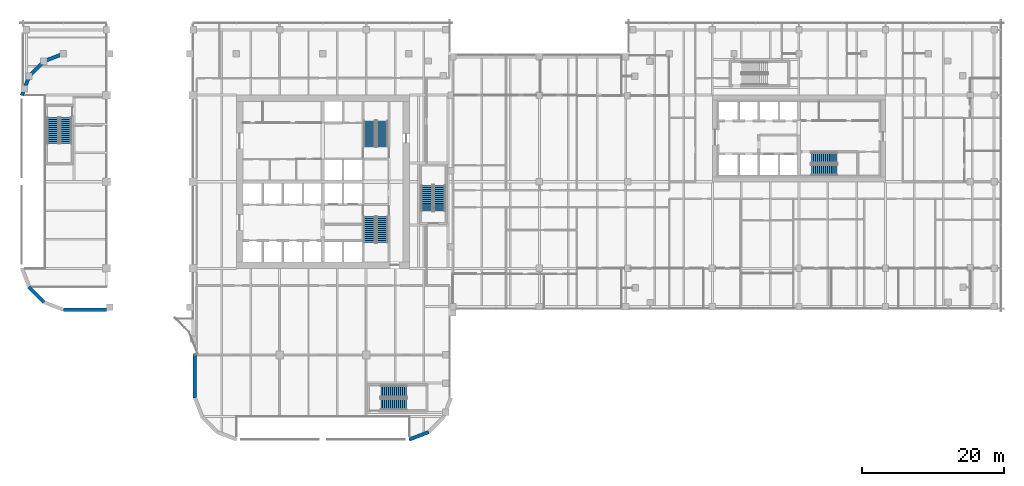
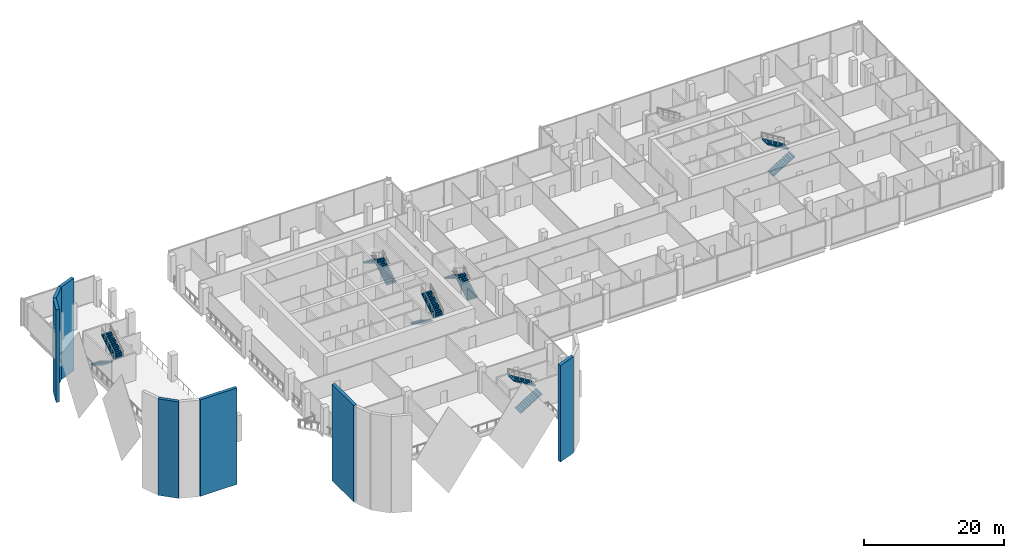
# One storey, part 30 of 33: 12 stair flights, 7 walls, 6 elements without a shape of their own.
"""IFC4 building model written with IfcOpenShell, lengths in metres."""

from ifc_helpers import new_model, si_unit, direction, frame, origin, place, context, subcontext, project, spatial, polyline, outline, extrude, faceted_brep, source, transform, mapped, material, layer, layer_set, type_object, element, aggregate, save


model = new_model("IFC4")

# Units and contexts
model_context = context("Model", 3, precision=1e-05, world=origin(), true_north=direction((0.0, 1.0)))
body_context = subcontext(model_context, "Body", "Model", "MODEL_VIEW")
ifc_project = project(units=[si_unit("LENGTHUNIT", "METRE"), si_unit("AREAUNIT", "SQUARE_METRE"), si_unit("VOLUMEUNIT", "CUBIC_METRE"), si_unit("PLANEANGLEUNIT", "RADIAN"), si_unit("MASSUNIT", "GRAM", prefix="KILO")], contexts=[model_context])

# Site, building, storey
site_placement = place(None, origin())
site = spatial("IfcSite", under=ifc_project, at=site_placement, CompositionType="ELEMENT")
building_placement = place(site_placement, origin())
building = spatial("IfcBuilding", under=site, at=building_placement, Name="Tessera Gate Towers", CompositionType="ELEMENT")
storey_placement = place(building_placement, frame((0.0, 0.0, 7.199951171875)))
storey = spatial("IfcBuildingStorey", under=building, at=storey_placement, Name="L01", CompositionType="ELEMENT", Elevation=7.199951171875)

# Walls
ifc_material_1 = material(Name="Precast concrete C60/75 white", Category="concrete")
ifc_layer = layer(ifc_material_1, 0.5)
ifc_layer_set = layer_set([ifc_layer], Name="TB3 foot corner pier")
wall_type = type_object("IfcWallType", Name="TB3 foot corner pier", PredefinedType="SOLIDWALL", material=ifc_layer_set)
shared_shape_1 = source(origin(), body_context, "Body", "Brep", [
    faceted_brep([(0.0, -0.25, 0.0), (6.053466796875, -0.25, 0.0), (6.053466796875, -0.25, 16.800048828125), (0.0, -0.25, 16.800048828125), (0.046630859375, 0.25, 16.800048828125), (6.053466796875, 0.25, 16.800048828125), (6.053466796875, 0.25, 0.0), (0.046630859375, 0.25, 0.0), (0.0, 0.0, 0.0), (0.0, 0.0, 16.800048828125)], [[[0, 1, 2, 3]], [[4, 5, 6, 7]], [[7, 6, 1, 0, 8]], [[5, 4, 9, 3, 2]], [[8, 0, 3, 9]], [[7, 8, 9, 4]], [[1, 6, 5, 2]]]),
])
wall_1_placement = place(storey_placement, frame((6.146484375, 18.550048828125, -7.199951171875), z_axis=(0.0, 0.0, 1.0), x_axis=(1.0, 0.0, 0.0)))
element("IfcWall", 1, at=wall_1_placement, inside=storey, type_object=wall_type, Name="Foot corner pier T1 TB3-0001", PredefinedType="SOLIDWALL", context=body_context, shape_type="MappedRepresentation", body=[
    mapped(shared_shape_1, transform((0.0, 0.0, 0.0), scale=1.0)),
])
shared_shape_2 = source(origin(), body_context, "Body", "Brep", [
    faceted_brep([(0.0, -0.25, 0.0), (6.154541015625, -0.25, 0.0), (6.154541015625, -0.25, 16.800048828125), (0.0, -0.25, 16.800048828125), (0.0, 0.25, 16.800048828125), (6.10791015625, 0.25, 16.800048828125), (6.10791015625, 0.25, 0.0), (0.0, 0.25, 0.0), (6.154541015625, -0.00048828125, 0.0), (6.154541015625, -0.00048828125, 16.800048828125)], [[[0, 1, 2, 3]], [[4, 5, 6, 7]], [[7, 6, 8, 1, 0]], [[9, 2, 1, 8]], [[5, 4, 3, 2, 9]], [[4, 7, 0, 3]], [[8, 6, 5, 9]]]),
])
wall_2_placement = place(storey_placement, frame((24.64990234375, 12.301025390625, -7.199951171875), z_axis=(0.0, 0.0, 1.0), x_axis=(0.0, -1.0, 0.0)))
element("IfcWall", 2, at=wall_2_placement, inside=storey, type_object=wall_type, Name="Foot corner pier T1 TB3-0002", PredefinedType="SOLIDWALL", context=body_context, shape_type="MappedRepresentation", body=[
    mapped(shared_shape_2, transform((0.0, 0.0, 0.0), scale=1.0)),
])
shared_shape_3 = source(origin(), body_context, "Body", "Brep", [
    faceted_brep([(0.0, -0.25, 0.0), (2.958251953125, -0.25, 0.0), (2.958251953125, -0.25, 16.800048828125), (0.0, -0.25, 16.800048828125), (0.046630859375, 0.25, 16.800048828125), (2.958251953125, 0.25, 16.800048828125), (2.958251953125, 0.25, 0.0), (0.046630859375, 0.25, 0.0), (0.0, 0.0, 0.0), (0.0, 0.0, 16.800048828125)], [[[0, 1, 2, 3]], [[4, 5, 6, 7]], [[7, 6, 1, 0, 8]], [[5, 4, 9, 3, 2]], [[8, 0, 3, 9]], [[7, 8, 9, 4]], [[1, 6, 5, 2]]]),
])
wall_3_placement = place(storey_placement, frame((54.853515625, 0.25, -7.199951171875), z_axis=(0.0, 0.0, 1.0), x_axis=(0.932987802691, 0.359907988283, 0.0)))
element("IfcWall", 3, at=wall_3_placement, inside=storey, type_object=wall_type, Name="Foot corner pier T1 TB3-0003", PredefinedType="SOLIDWALL", context=body_context, shape_type="MappedRepresentation", body=[
    mapped(shared_shape_3, transform((0.0, 0.0, 0.0), scale=1.0)),
])
shared_shape_4 = source(origin(), body_context, "Body", "Brep", [
    faceted_brep([(0.0, -0.25, 0.0), (2.950439453125, -0.25, 0.0), (2.950439453125, -0.25, 16.1220703125), (0.0, -0.25, 16.1220703125), (0.046630859375, 0.25, 16.1220703125), (2.897705078125, 0.25, 16.1220703125), (2.897705078125, 0.25, 0.0), (0.046630859375, 0.25, 0.0), (2.950439453125, 0.00048828125, 0.0), (0.0, 0.0, 0.0), (2.950439453125, 0.00048828125, 16.1220703125), (0.0, 0.0, 16.1220703125)], [[[0, 1, 2, 3]], [[4, 5, 6, 7]], [[7, 6, 8, 1, 0, 9]], [[10, 2, 1, 8]], [[5, 4, 11, 3, 2, 10]], [[9, 0, 3, 11]], [[7, 9, 11, 4]], [[8, 6, 5, 10]]]),
])
wall_4_placement = place(storey_placement, frame((6.146484375, 54.64990234375, -7.199951171875), z_axis=(0.0, 0.0, 1.0), x_axis=(-0.932999673775, -0.359877213415, 0.0)))
element("IfcWall", 4, at=wall_4_placement, inside=storey, type_object=wall_type, Name="Foot corner pier T1 TB3-0006", PredefinedType="SOLIDWALL", context=body_context, shape_type="MappedRepresentation", body=[
    mapped(shared_shape_4, transform((0.0, 0.0, 0.0), scale=1.0)),
])
shared_shape_5 = source(origin(), body_context, "Body", "Brep", [
    faceted_brep([(0.0, -0.25, 0.0), (2.944091796875, -0.25, 0.0), (2.944091796875, -0.25, 16.1220703125), (0.0, -0.25, 16.1220703125), (0.052978515625, 0.25, 16.1220703125), (2.89111328125, 0.25, 16.1220703125), (2.89111328125, 0.25, 0.0), (0.052978515625, 0.25, 0.0), (2.944091796875, 0.000244140625, 0.0), (0.0, 0.0, 0.0), (2.944091796875, 0.000244140625, 16.1220703125), (0.0, 0.0, 16.1220703125)], [[[0, 1, 2, 3]], [[4, 5, 6, 7]], [[7, 6, 8, 1, 0, 9]], [[10, 2, 1, 8]], [[5, 4, 11, 3, 2, 10]], [[9, 0, 3, 11]], [[7, 9, 11, 4]], [[8, 6, 5, 10]]]),
])
wall_5_placement = place(storey_placement, frame((3.393798828125, 53.588134765625, -7.199951171875), z_axis=(0.0, 0.0, 1.0), x_axis=(-0.707106781187, -0.707106781187, 0.0)))
element("IfcWall", 5, at=wall_5_placement, inside=storey, type_object=wall_type, Name="Foot corner pier T1 TB3-0007", PredefinedType="SOLIDWALL", context=body_context, shape_type="MappedRepresentation", body=[
    mapped(shared_shape_5, transform((0.0, 0.0, 0.0), scale=1.0)),
])
shared_shape_6 = source(origin(), body_context, "Body", "Brep", [
    faceted_brep([(0.0, -0.25, 0.0), (2.950439453125, -0.25, 0.0), (2.950439453125, -0.25, 16.1220703125), (0.0, -0.25, 16.1220703125), (0.052978515625, 0.25, 16.1220703125), (2.904052734375, 0.25, 16.1220703125), (2.904052734375, 0.25, 0.0), (0.052978515625, 0.25, 0.0), (2.950439453125, 0.00048828125, 0.0), (0.0, 0.0, 0.0), (2.950439453125, 0.00048828125, 16.1220703125), (0.0, 0.0, 16.1220703125)], [[[0, 1, 2, 3]], [[4, 5, 6, 7]], [[7, 6, 8, 1, 0, 9]], [[10, 2, 1, 8]], [[5, 4, 11, 3, 2, 10]], [[9, 0, 3, 11]], [[7, 9, 11, 4]], [[8, 6, 5, 10]]]),
])
wall_6_placement = place(storey_placement, frame((1.31201171875, 51.50634765625, -7.199951171875), z_axis=(0.0, 0.0, 1.0), x_axis=(-0.359921456299, -0.932982607178, 0.0)))
element("IfcWall", 6, at=wall_6_placement, inside=storey, type_object=wall_type, Name="Foot corner pier T1 TB3-0008", PredefinedType="SOLIDWALL", context=body_context, shape_type="MappedRepresentation", body=[
    mapped(shared_shape_6, transform((0.0, 0.0, 0.0), scale=1.0)),
])
shared_shape_7 = source(origin(), body_context, "Body", "Brep", [
    faceted_brep([(0.0, -0.25, 0.0), (3.0546875, -0.25, 0.0), (3.0546875, -0.25, 16.800048828125), (0.0, -0.25, 16.800048828125), (0.0, 0.25, 16.800048828125), (3.001953125, 0.25, 16.800048828125), (3.001953125, 0.25, 0.0), (0.0, 0.25, 0.0), (3.0546875, 0.00048828125, 0.0), (3.0546875, 0.00048828125, 16.800048828125)], [[[0, 1, 2, 3]], [[4, 5, 6, 7]], [[7, 6, 8, 1, 0]], [[9, 2, 1, 8]], [[5, 4, 3, 2, 9]], [[4, 7, 0, 3]], [[8, 6, 5, 9]]]),
])
wall_7_placement = place(storey_placement, frame((1.233642578125, 21.77197265625, -7.199951171875), z_axis=(0.0, 0.0, 1.0), x_axis=(0.707146740881, -0.707066819233, 0.0)))
element("IfcWall", 7, at=wall_7_placement, inside=storey, type_object=wall_type, Name="Foot corner pier T1 TB3-0010", PredefinedType="SOLIDWALL", context=body_context, shape_type="MappedRepresentation", body=[
    mapped(shared_shape_7, transform((0.0, 0.0, 0.0), scale=1.0)),
])

# Stair, stair flights
ifc_material_2 = material(Name="Concrete C40/50", Category="concrete")
stair_type_1 = type_object("IfcStairType", Name="EXIT STAIR ST1A 1600", PredefinedType="HALF_TURN_STAIR", material=ifc_material_2)
stair_1_placement = place(storey_placement, origin())
stair_1 = element("IfcStair", 8, at=stair_1_placement, inside=storey, type_object=stair_type_1, Name="L01 Protected Exit Stair ST1", PredefinedType="HALF_TURN_STAIR")
ifc_material_3 = material(Name="Concrete C40/50", Category="concrete")
stair_flight_type_1 = type_object("IfcStairFlightType", Name="EXIT STAIR FLIGHT ST1A 1600", PredefinedType="STRAIGHT", material=ifc_material_3)
stair_flight_1_placement = place(storey_placement, frame((49.27490234375, 31.675048828125, 0.0), z_axis=(0.0, 0.0, 1.0), x_axis=(0.0, -1.0, 0.0)))
stair_flight_1 = element("IfcStairFlight", 9, at=stair_flight_1_placement, type_object=stair_flight_type_1, Name="ST1 flight 1", NumberOfRisers=14, NumberOfTreads=13, PredefinedType="STRAIGHT", RiserHeight=0.171428571, TreadLength=0.28, context=body_context, shape_type="SweptSolid", body=[
    extrude(outline(polyline([(0.0, 0.0), (0.0, 0.17138671875), (0.280029296875, 0.17138671875), (0.280029296875, 0.3427734375), (0.56005859375, 0.3427734375), (0.56005859375, 0.514404296875), (0.840087890625, 0.514404296875), (0.840087890625, 0.685791015625), (1.1201171875, 0.685791015625), (1.1201171875, 0.857177734375), (1.39990234375, 0.857177734375), (1.39990234375, 1.028564453125), (1.679931640625, 1.028564453125), (1.679931640625, 1.199951171875), (1.9599609375, 1.199951171875), (1.9599609375, 1.371337890625), (2.239990234375, 1.371337890625), (2.239990234375, 1.54296875), (2.52001953125, 1.54296875), (2.52001953125, 1.71435546875), (2.800048828125, 1.71435546875), (2.800048828125, 1.8857421875), (3.080078125, 1.8857421875), (3.080078125, 2.05712890625), (3.360107421875, 2.05712890625), (3.360107421875, 2.228515625), (3.639892578125, 2.228515625), (3.639892578125, 2.39990234375), (3.639892578125, 2.052734375), (0.287109375, 0.0), (0.0, 0.0)])), frame((0.0, 0.800048828125, 0.0), z_axis=(0.0, -1.0, 0.0), x_axis=(1.0, 0.0, 0.0)), (0.0, 0.0, 1.0), 1.60009765625),
])
stair_flight_2_placement = place(storey_placement, frame((51.074951171875, 28.034912109375, 2.400146484375), z_axis=(0.0, 0.0, 1.0), x_axis=(0.0, 1.0, 0.0)))
stair_flight_2 = element("IfcStairFlight", 10, at=stair_flight_2_placement, type_object=stair_flight_type_1, Name="ST1 flight 2", NumberOfRisers=14, NumberOfTreads=13, PredefinedType="STRAIGHT", RiserHeight=0.171428571, TreadLength=0.28, context=body_context, shape_type="SweptSolid", body=[
    extrude(outline(polyline([(0.0, 0.0), (0.0, 0.17138671875), (0.280029296875, 0.17138671875), (0.280029296875, 0.3427734375), (0.56005859375, 0.3427734375), (0.56005859375, 0.514404296875), (0.840087890625, 0.514404296875), (0.840087890625, 0.685791015625), (1.1201171875, 0.685791015625), (1.1201171875, 0.857177734375), (1.39990234375, 0.857177734375), (1.39990234375, 1.028564453125), (1.679931640625, 1.028564453125), (1.679931640625, 1.199951171875), (1.9599609375, 1.199951171875), (1.9599609375, 1.371337890625), (2.239990234375, 1.371337890625), (2.239990234375, 1.54296875), (2.52001953125, 1.54296875), (2.52001953125, 1.71435546875), (2.800048828125, 1.71435546875), (2.800048828125, 1.8857421875), (3.080078125, 1.8857421875), (3.080078125, 2.05712890625), (3.360107421875, 2.05712890625), (3.360107421875, 2.228515625), (3.639892578125, 2.228515625), (3.639892578125, 2.39990234375), (3.639892578125, 2.052734375), (0.287109375, 0.0), (0.0, 0.0)])), frame((0.0, 0.800048828125, 0.0), z_axis=(0.0, -1.0, 0.0), x_axis=(1.0, 0.0, 0.0)), (0.0, 0.0, 1.0), 1.60009765625),
])
aggregate(stair_1, [stair_flight_1, stair_flight_2])

ifc_material_4 = material(Name="Concrete C40/50", Category="concrete")
stair_type_2 = type_object("IfcStairType", Name="EXIT STAIR ST2A 1600", PredefinedType="HALF_TURN_STAIR", material=ifc_material_4)
stair_2_placement = place(storey_placement, origin())
stair_2 = element("IfcStair", 11, at=stair_2_placement, inside=storey, type_object=stair_type_2, Name="L01 Protected Exit Stair ST2", PredefinedType="HALF_TURN_STAIR")
ifc_material_5 = material(Name="Concrete C40/50", Category="concrete")
stair_flight_type_2 = type_object("IfcStairFlightType", Name="EXIT STAIR FLIGHT ST2A 1600", PredefinedType="STRAIGHT", material=ifc_material_5)
stair_flight_3_placement = place(storey_placement, frame((51.074951171875, 41.52490234375, 0.0), z_axis=(0.0, 0.0, 1.0), x_axis=(0.0, 1.0, 0.0)))
stair_flight_3 = element("IfcStairFlight", 12, at=stair_flight_3_placement, type_object=stair_flight_type_2, Name="ST2 flight 1", NumberOfRisers=14, NumberOfTreads=13, PredefinedType="STRAIGHT", RiserHeight=0.171428571, TreadLength=0.28, context=body_context, shape_type="SweptSolid", body=[
    extrude(outline(polyline([(0.0, 0.0), (0.0, 0.17138671875), (0.280029296875, 0.17138671875), (0.280029296875, 0.3427734375), (0.56005859375, 0.3427734375), (0.56005859375, 0.514404296875), (0.840087890625, 0.514404296875), (0.840087890625, 0.685791015625), (1.1201171875, 0.685791015625), (1.1201171875, 0.857177734375), (1.39990234375, 0.857177734375), (1.39990234375, 1.028564453125), (1.679931640625, 1.028564453125), (1.679931640625, 1.199951171875), (1.9599609375, 1.199951171875), (1.9599609375, 1.371337890625), (2.239990234375, 1.371337890625), (2.239990234375, 1.54296875), (2.52001953125, 1.54296875), (2.52001953125, 1.71435546875), (2.800048828125, 1.71435546875), (2.800048828125, 1.8857421875), (3.080078125, 1.8857421875), (3.080078125, 2.05712890625), (3.360107421875, 2.05712890625), (3.360107421875, 2.228515625), (3.639892578125, 2.228515625), (3.639892578125, 2.39990234375), (3.639892578125, 2.052734375), (0.287109375, 0.0), (0.0, 0.0)])), frame((0.0, 0.800048828125, 0.0), z_axis=(0.0, -1.0, 0.0), x_axis=(1.0, 0.0, 0.0)), (0.0, 0.0, 1.0), 1.60009765625),
])
stair_flight_4_placement = place(storey_placement, frame((49.27490234375, 45.1650390625, 2.400146484375), z_axis=(0.0, 0.0, 1.0), x_axis=(0.0, -1.0, 0.0)))
stair_flight_4 = element("IfcStairFlight", 13, at=stair_flight_4_placement, type_object=stair_flight_type_2, Name="ST2 flight 2", NumberOfRisers=14, NumberOfTreads=13, PredefinedType="STRAIGHT", RiserHeight=0.171428571, TreadLength=0.28, context=body_context, shape_type="SweptSolid", body=[
    extrude(outline(polyline([(0.0, 0.0), (0.0, 0.17138671875), (0.280029296875, 0.17138671875), (0.280029296875, 0.3427734375), (0.56005859375, 0.3427734375), (0.56005859375, 0.514404296875), (0.840087890625, 0.514404296875), (0.840087890625, 0.685791015625), (1.1201171875, 0.685791015625), (1.1201171875, 0.857177734375), (1.39990234375, 0.857177734375), (1.39990234375, 1.028564453125), (1.679931640625, 1.028564453125), (1.679931640625, 1.199951171875), (1.9599609375, 1.199951171875), (1.9599609375, 1.371337890625), (2.239990234375, 1.371337890625), (2.239990234375, 1.54296875), (2.52001953125, 1.54296875), (2.52001953125, 1.71435546875), (2.800048828125, 1.71435546875), (2.800048828125, 1.8857421875), (3.080078125, 1.8857421875), (3.080078125, 2.05712890625), (3.360107421875, 2.05712890625), (3.360107421875, 2.228515625), (3.639892578125, 2.228515625), (3.639892578125, 2.39990234375), (3.639892578125, 2.052734375), (0.287109375, 0.0), (0.0, 0.0)])), frame((0.0, 0.800048828125, 0.0), z_axis=(0.0, -1.0, 0.0), x_axis=(1.0, 0.0, 0.0)), (0.0, 0.0, 1.0), 1.60009765625),
])
aggregate(stair_2, [stair_flight_3, stair_flight_4])

ifc_material_6 = material(Name="Concrete C40/50", Category="concrete")
stair_type_3 = type_object("IfcStairType", Name="EXIT STAIR ST3A 1600", PredefinedType="HALF_TURN_STAIR", material=ifc_material_6)
stair_3_placement = place(storey_placement, origin())
stair_3 = element("IfcStair", 14, at=stair_3_placement, inside=storey, type_object=stair_type_3, Name="L01 West Exit Stair ST3", PredefinedType="HALF_TURN_STAIR")
ifc_material_7 = material(Name="Concrete C40/50", Category="concrete")
stair_flight_type_3 = type_object("IfcStairFlightType", Name="EXIT STAIR FLIGHT ST3A 1600", PredefinedType="STRAIGHT", material=ifc_material_7)
stair_flight_5_placement = place(storey_placement, frame((4.64990234375, 45.64990234375, 0.0), z_axis=(0.0, 0.0, 1.0), x_axis=(0.0, -1.0, 0.0)))
stair_flight_5 = element("IfcStairFlight", 15, at=stair_flight_5_placement, type_object=stair_flight_type_3, Name="ST3 flight 1", NumberOfRisers=14, NumberOfTreads=13, PredefinedType="STRAIGHT", RiserHeight=0.171428571, TreadLength=0.28, context=body_context, shape_type="SweptSolid", body=[
    extrude(outline(polyline([(0.0, 0.0), (0.0, 0.17138671875), (0.280029296875, 0.17138671875), (0.280029296875, 0.3427734375), (0.56005859375, 0.3427734375), (0.56005859375, 0.514404296875), (0.840087890625, 0.514404296875), (0.840087890625, 0.685791015625), (1.1201171875, 0.685791015625), (1.1201171875, 0.857177734375), (1.39990234375, 0.857177734375), (1.39990234375, 1.028564453125), (1.679931640625, 1.028564453125), (1.679931640625, 1.199951171875), (1.9599609375, 1.199951171875), (1.9599609375, 1.371337890625), (2.239990234375, 1.371337890625), (2.239990234375, 1.54296875), (2.52001953125, 1.54296875), (2.52001953125, 1.71435546875), (2.800048828125, 1.71435546875), (2.800048828125, 1.8857421875), (3.080078125, 1.8857421875), (3.080078125, 2.05712890625), (3.360107421875, 2.05712890625), (3.360107421875, 2.228515625), (3.639892578125, 2.228515625), (3.639892578125, 2.39990234375), (3.639892578125, 2.052734375), (0.287109375, 0.0), (0.0, 0.0)])), frame((0.0, 0.800048828125, 0.0), z_axis=(0.0, -1.0, 0.0), x_axis=(1.0, 0.0, 0.0)), (0.0, 0.0, 1.0), 1.60009765625),
])
stair_flight_6_placement = place(storey_placement, frame((6.449951171875, 42.010009765625, 2.400146484375), z_axis=(0.0, 0.0, 1.0), x_axis=(0.0, 1.0, 0.0)))
stair_flight_6 = element("IfcStairFlight", 16, at=stair_flight_6_placement, type_object=stair_flight_type_3, Name="ST3 flight 2", NumberOfRisers=14, NumberOfTreads=13, PredefinedType="STRAIGHT", RiserHeight=0.171428571, TreadLength=0.28, context=body_context, shape_type="SweptSolid", body=[
    extrude(outline(polyline([(0.0, 0.0), (0.0, 0.17138671875), (0.280029296875, 0.17138671875), (0.280029296875, 0.3427734375), (0.56005859375, 0.3427734375), (0.56005859375, 0.514404296875), (0.840087890625, 0.514404296875), (0.840087890625, 0.685791015625), (1.1201171875, 0.685791015625), (1.1201171875, 0.857177734375), (1.39990234375, 0.857177734375), (1.39990234375, 1.028564453125), (1.679931640625, 1.028564453125), (1.679931640625, 1.199951171875), (1.9599609375, 1.199951171875), (1.9599609375, 1.371337890625), (2.239990234375, 1.371337890625), (2.239990234375, 1.54296875), (2.52001953125, 1.54296875), (2.52001953125, 1.71435546875), (2.800048828125, 1.71435546875), (2.800048828125, 1.8857421875), (3.080078125, 1.8857421875), (3.080078125, 2.05712890625), (3.360107421875, 2.05712890625), (3.360107421875, 2.228515625), (3.639892578125, 2.228515625), (3.639892578125, 2.39990234375), (3.639892578125, 2.052734375), (0.287109375, 0.0), (0.0, 0.0)])), frame((0.0, 0.800048828125, 0.0), z_axis=(0.0, -1.0, 0.0), x_axis=(1.0, 0.0, 0.0)), (0.0, 0.0, 1.0), 1.60009765625),
])
aggregate(stair_3, [stair_flight_5, stair_flight_6])

ifc_material_8 = material(Name="Concrete C40/50", Category="concrete")
stair_type_4 = type_object("IfcStairType", Name="EXIT STAIR ST4A 1600", PredefinedType="HALF_TURN_STAIR", material=ifc_material_8)
stair_4_placement = place(storey_placement, origin())
stair_4 = element("IfcStair", 17, at=stair_4_placement, inside=storey, type_object=stair_type_4, Name="L01 South Exit Stair ST4", PredefinedType="HALF_TURN_STAIR")
ifc_material_9 = material(Name="Concrete C40/50", Category="concrete")
stair_flight_type_4 = type_object("IfcStairFlightType", Name="EXIT STAIR FLIGHT ST4A 1600", PredefinedType="STRAIGHT", material=ifc_material_9)
stair_flight_7_placement = place(storey_placement, frame((50.85009765625, 5.25, 0.0), z_axis=(0.0, 0.0, 1.0), x_axis=(1.0, 0.0, 0.0)))
stair_flight_7 = element("IfcStairFlight", 18, at=stair_flight_7_placement, type_object=stair_flight_type_4, Name="ST4 flight 1", NumberOfRisers=14, NumberOfTreads=13, PredefinedType="STRAIGHT", RiserHeight=0.171428571, TreadLength=0.28, context=body_context, shape_type="SweptSolid", body=[
    extrude(outline(polyline([(0.0, 0.0), (0.0, 0.17138671875), (0.280029296875, 0.17138671875), (0.280029296875, 0.3427734375), (0.56005859375, 0.3427734375), (0.56005859375, 0.514404296875), (0.840087890625, 0.514404296875), (0.840087890625, 0.685791015625), (1.1201171875, 0.685791015625), (1.1201171875, 0.857177734375), (1.39990234375, 0.857177734375), (1.39990234375, 1.028564453125), (1.679931640625, 1.028564453125), (1.679931640625, 1.199951171875), (1.9599609375, 1.199951171875), (1.9599609375, 1.371337890625), (2.239990234375, 1.371337890625), (2.239990234375, 1.54296875), (2.52001953125, 1.54296875), (2.52001953125, 1.71435546875), (2.800048828125, 1.71435546875), (2.800048828125, 1.8857421875), (3.080078125, 1.8857421875), (3.080078125, 2.05712890625), (3.360107421875, 2.05712890625), (3.360107421875, 2.228515625), (3.639892578125, 2.228515625), (3.639892578125, 2.39990234375), (3.639892578125, 2.052734375), (0.287109375, 0.0), (0.0, 0.0)])), frame((0.0, 0.800048828125, 0.0), z_axis=(0.0, -1.0, 0.0), x_axis=(1.0, 0.0, 0.0)), (0.0, 0.0, 1.0), 1.60009765625),
])
stair_flight_8_placement = place(storey_placement, frame((54.489990234375, 7.050048828125, 2.400146484375), z_axis=(0.0, 0.0, 1.0), x_axis=(-1.0, 0.0, 0.0)))
stair_flight_8 = element("IfcStairFlight", 19, at=stair_flight_8_placement, type_object=stair_flight_type_4, Name="ST4 flight 2", NumberOfRisers=14, NumberOfTreads=13, PredefinedType="STRAIGHT", RiserHeight=0.171428571, TreadLength=0.28, context=body_context, shape_type="SweptSolid", body=[
    extrude(outline(polyline([(0.0, 0.0), (0.0, 0.17138671875), (0.280029296875, 0.17138671875), (0.280029296875, 0.3427734375), (0.56005859375, 0.3427734375), (0.56005859375, 0.514404296875), (0.840087890625, 0.514404296875), (0.840087890625, 0.685791015625), (1.1201171875, 0.685791015625), (1.1201171875, 0.857177734375), (1.39990234375, 0.857177734375), (1.39990234375, 1.028564453125), (1.679931640625, 1.028564453125), (1.679931640625, 1.199951171875), (1.9599609375, 1.199951171875), (1.9599609375, 1.371337890625), (2.239990234375, 1.371337890625), (2.239990234375, 1.54296875), (2.52001953125, 1.54296875), (2.52001953125, 1.71435546875), (2.800048828125, 1.71435546875), (2.800048828125, 1.8857421875), (3.080078125, 1.8857421875), (3.080078125, 2.05712890625), (3.360107421875, 2.05712890625), (3.360107421875, 2.228515625), (3.639892578125, 2.228515625), (3.639892578125, 2.39990234375), (3.639892578125, 2.052734375), (0.287109375, 0.0), (0.0, 0.0)])), frame((0.0, 0.800048828125, 0.0), z_axis=(0.0, -1.0, 0.0), x_axis=(1.0, 0.0, 0.0)), (0.0, 0.0, 1.0), 1.60009765625),
])
aggregate(stair_4, [stair_flight_7, stair_flight_8])

ifc_material_10 = material(Name="Concrete C40/50", Category="concrete")
stair_type_5 = type_object("IfcStairType", Name="EXIT STAIR ST5A 1600", PredefinedType="HALF_TURN_STAIR", material=ifc_material_10)
stair_5_placement = place(storey_placement, origin())
stair_5 = element("IfcStair", 20, at=stair_5_placement, inside=storey, type_object=stair_type_5, Name="L01 East Exit Stair ST5", PredefinedType="HALF_TURN_STAIR")
ifc_material_11 = material(Name="Concrete C40/50", Category="concrete")
stair_flight_type_5 = type_object("IfcStairFlightType", Name="EXIT STAIR FLIGHT ST5A 1600", PredefinedType="STRAIGHT", material=ifc_material_11)
stair_flight_9_placement = place(storey_placement, frame((59.14990234375, 32.449951171875, 0.0), z_axis=(0.0, 0.0, 1.0), x_axis=(0.0, 1.0, 0.0)))
stair_flight_9 = element("IfcStairFlight", 21, at=stair_flight_9_placement, type_object=stair_flight_type_5, Name="ST5 flight 1", NumberOfRisers=14, NumberOfTreads=13, PredefinedType="STRAIGHT", RiserHeight=0.171428571, TreadLength=0.28, context=body_context, shape_type="SweptSolid", body=[
    extrude(outline(polyline([(0.0, 0.0), (0.0, 0.17138671875), (0.280029296875, 0.17138671875), (0.280029296875, 0.3427734375), (0.56005859375, 0.3427734375), (0.56005859375, 0.514404296875), (0.840087890625, 0.514404296875), (0.840087890625, 0.685791015625), (1.1201171875, 0.685791015625), (1.1201171875, 0.857177734375), (1.39990234375, 0.857177734375), (1.39990234375, 1.028564453125), (1.679931640625, 1.028564453125), (1.679931640625, 1.199951171875), (1.9599609375, 1.199951171875), (1.9599609375, 1.371337890625), (2.239990234375, 1.371337890625), (2.239990234375, 1.54296875), (2.52001953125, 1.54296875), (2.52001953125, 1.71435546875), (2.800048828125, 1.71435546875), (2.800048828125, 1.8857421875), (3.080078125, 1.8857421875), (3.080078125, 2.05712890625), (3.360107421875, 2.05712890625), (3.360107421875, 2.228515625), (3.639892578125, 2.228515625), (3.639892578125, 2.39990234375), (3.639892578125, 2.052734375), (0.287109375, 0.0), (0.0, 0.0)])), frame((0.0, 0.800048828125, 0.0), z_axis=(0.0, -1.0, 0.0), x_axis=(1.0, 0.0, 0.0)), (0.0, 0.0, 1.0), 1.60009765625),
])
stair_flight_10_placement = place(storey_placement, frame((57.35009765625, 36.090087890625, 2.400146484375), z_axis=(0.0, 0.0, 1.0), x_axis=(0.0, -1.0, 0.0)))
stair_flight_10 = element("IfcStairFlight", 22, at=stair_flight_10_placement, type_object=stair_flight_type_5, Name="ST5 flight 2", NumberOfRisers=14, NumberOfTreads=13, PredefinedType="STRAIGHT", RiserHeight=0.171428571, TreadLength=0.28, context=body_context, shape_type="SweptSolid", body=[
    extrude(outline(polyline([(0.0, 0.0), (0.0, 0.17138671875), (0.280029296875, 0.17138671875), (0.280029296875, 0.3427734375), (0.56005859375, 0.3427734375), (0.56005859375, 0.514404296875), (0.840087890625, 0.514404296875), (0.840087890625, 0.685791015625), (1.1201171875, 0.685791015625), (1.1201171875, 0.857177734375), (1.39990234375, 0.857177734375), (1.39990234375, 1.028564453125), (1.679931640625, 1.028564453125), (1.679931640625, 1.199951171875), (1.9599609375, 1.199951171875), (1.9599609375, 1.371337890625), (2.239990234375, 1.371337890625), (2.239990234375, 1.54296875), (2.52001953125, 1.54296875), (2.52001953125, 1.71435546875), (2.800048828125, 1.71435546875), (2.800048828125, 1.8857421875), (3.080078125, 1.8857421875), (3.080078125, 2.05712890625), (3.360107421875, 2.05712890625), (3.360107421875, 2.228515625), (3.639892578125, 2.228515625), (3.639892578125, 2.39990234375), (3.639892578125, 2.052734375), (0.287109375, 0.0), (0.0, 0.0)])), frame((0.0, 0.800048828125, 0.0), z_axis=(0.0, -1.0, 0.0), x_axis=(1.0, 0.0, 0.0)), (0.0, 0.0, 1.0), 1.60009765625),
])
aggregate(stair_5, [stair_flight_9, stair_flight_10])

ifc_material_12 = material(Name="Concrete C40/50", Category="concrete")
stair_type_6 = type_object("IfcStairType", Name="EXIT STAIR ST6A 1500", PredefinedType="HALF_TURN_STAIR", material=ifc_material_12)
stair_6_placement = place(storey_placement, origin())
stair_6 = element("IfcStair", 23, at=stair_6_placement, inside=storey, type_object=stair_type_6, Name="L01 Protected Exit Stair ST6", PredefinedType="HALF_TURN_STAIR")
ifc_material_13 = material(Name="Concrete C40/50", Category="concrete")
stair_flight_type_6 = type_object("IfcStairFlightType", Name="EXIT STAIR FLIGHT ST6A 1500", PredefinedType="STRAIGHT", material=ifc_material_13)
stair_flight_11_placement = place(storey_placement, frame((111.550048828125, 38.25, 0.0), z_axis=(0.0, 0.0, 1.0), x_axis=(1.0, 0.0, 0.0)))
stair_flight_11 = element("IfcStairFlight", 24, at=stair_flight_11_placement, type_object=stair_flight_type_6, Name="ST6 flight 1", NumberOfRisers=14, NumberOfTreads=13, PredefinedType="STRAIGHT", RiserHeight=0.171428571, TreadLength=0.28, context=body_context, shape_type="SweptSolid", body=[
    extrude(outline(polyline([(0.0, 0.0), (0.0, 0.17138671875), (0.280029296875, 0.17138671875), (0.280029296875, 0.3427734375), (0.56005859375, 0.3427734375), (0.56005859375, 0.514404296875), (0.840087890625, 0.514404296875), (0.840087890625, 0.685791015625), (1.1201171875, 0.685791015625), (1.1201171875, 0.857177734375), (1.39990234375, 0.857177734375), (1.39990234375, 1.028564453125), (1.679931640625, 1.028564453125), (1.679931640625, 1.199951171875), (1.9599609375, 1.199951171875), (1.9599609375, 1.371337890625), (2.239990234375, 1.371337890625), (2.239990234375, 1.54296875), (2.52001953125, 1.54296875), (2.52001953125, 1.71435546875), (2.800048828125, 1.71435546875), (2.800048828125, 1.8857421875), (3.080078125, 1.8857421875), (3.080078125, 2.05712890625), (3.360107421875, 2.05712890625), (3.360107421875, 2.228515625), (3.639892578125, 2.228515625), (3.639892578125, 2.39990234375), (3.639892578125, 2.052734375), (0.287109375, 0.0), (0.0, 0.0)])), frame((0.0, 0.75, 0.0), z_axis=(0.0, -1.0, 0.0), x_axis=(1.0, 0.0, 0.0)), (0.0, 0.0, 1.0), 1.5),
])
stair_flight_12_placement = place(storey_placement, frame((115.18994140625, 39.949951171875, 2.400146484375), z_axis=(0.0, 0.0, 1.0), x_axis=(-1.0, 0.0, 0.0)))
stair_flight_12 = element("IfcStairFlight", 25, at=stair_flight_12_placement, type_object=stair_flight_type_6, Name="ST6 flight 2", NumberOfRisers=14, NumberOfTreads=13, PredefinedType="STRAIGHT", RiserHeight=0.171428571, TreadLength=0.28, context=body_context, shape_type="SweptSolid", body=[
    extrude(outline(polyline([(0.0, 0.0), (0.0, 0.17138671875), (0.280029296875, 0.17138671875), (0.280029296875, 0.3427734375), (0.56005859375, 0.3427734375), (0.56005859375, 0.514404296875), (0.840087890625, 0.514404296875), (0.840087890625, 0.685791015625), (1.1201171875, 0.685791015625), (1.1201171875, 0.857177734375), (1.39990234375, 0.857177734375), (1.39990234375, 1.028564453125), (1.679931640625, 1.028564453125), (1.679931640625, 1.199951171875), (1.9599609375, 1.199951171875), (1.9599609375, 1.371337890625), (2.239990234375, 1.371337890625), (2.239990234375, 1.54296875), (2.52001953125, 1.54296875), (2.52001953125, 1.71435546875), (2.800048828125, 1.71435546875), (2.800048828125, 1.8857421875), (3.080078125, 1.8857421875), (3.080078125, 2.05712890625), (3.360107421875, 2.05712890625), (3.360107421875, 2.228515625), (3.639892578125, 2.228515625), (3.639892578125, 2.39990234375), (3.639892578125, 2.052734375), (0.287109375, 0.0), (0.0, 0.0)])), frame((0.0, 0.75, 0.0), z_axis=(0.0, -1.0, 0.0), x_axis=(1.0, 0.0, 0.0)), (0.0, 0.0, 1.0), 1.5),
])
aggregate(stair_6, [stair_flight_11, stair_flight_12])

save(model, "model.ifc")
